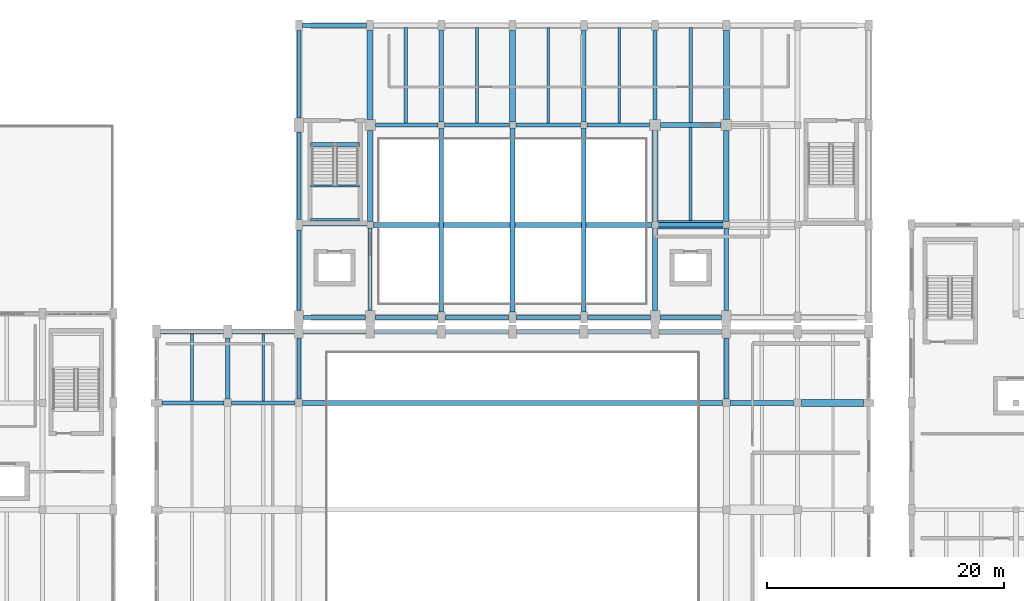
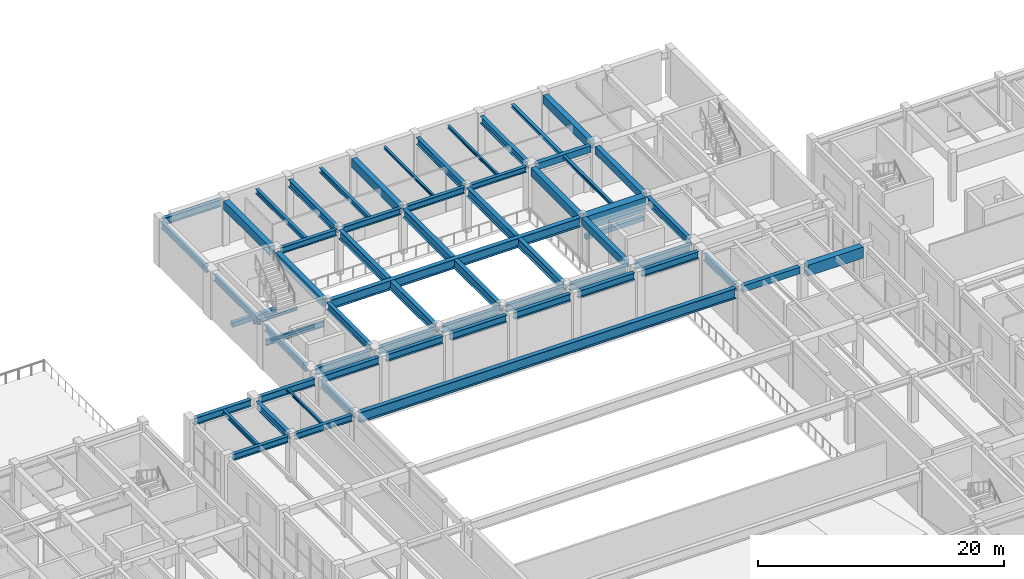
# One storey, part 41 of 80: 61 beams.
"""IFC4 building model written with IfcOpenShell, lengths in metres."""

import ifcopenshell
import ifcopenshell.guid

model = None  # the IFC model being written
_history = None  # IfcOwnerHistory: only IFC2X3 demands one
_inside = {}  # id of a spatial element -> (the spatial element, [elements in it])
_under = {}  # id of a project, library or spatial element -> (it, [spatial elements below it])
_declared = {}  # id of a project -> (the project, [libraries it declares])
_typed = {}  # id of a type object -> (the type object, [elements of that type])
_made_of = {}  # id of a material, layer set ... -> (it, [elements and type objects made of it])


def new_model(schema):
    """Start an empty IFC model of exactly this schema.

    Asked for "IFC4X3", IfcOpenShell would pick the latest addendum, in which some entities
    have other attributes; the version numbers below select the first issue.
    IFC2X3 requires an IfcOwnerHistory on every rooted entity: one is made here for all.
    """
    global model, _history
    if schema == "IFC4X3":
        model = ifcopenshell.file(schema_version=(4, 3, 0, 0))
    else:
        model = ifcopenshell.file(schema=schema)
    _inside.clear()
    _under.clear()
    _declared.clear()
    _typed.clear()
    _made_of.clear()
    _history = None
    if model.schema == "IFC2X3":
        org = make("IfcOrganization", Name="unknown")
        user = make(
            "IfcPersonAndOrganization",
            ThePerson=make("IfcPerson", FamilyName="unknown"),
            TheOrganization=org,
        )
        app = make(
            "IfcApplication",
            ApplicationDeveloper=org,
            Version="unknown",
            ApplicationFullName="unknown",
            ApplicationIdentifier="unknown",
        )
        _history = make(
            "IfcOwnerHistory",
            OwningUser=user,
            OwningApplication=app,
            ChangeAction="ADDED",
            CreationDate=0,
        )
    return model


def make(cls, **values):
    """One entity of the class cls with the attributes given. An attribute that is None is left unset."""
    return model.create_entity(
        cls, **{name: value for name, value in values.items() if value is not None}
    )


def rooted(cls, **values):
    """An entity with a GlobalId (a new one), such as an element, a storey or a relation."""
    return make(cls, GlobalId=ifcopenshell.guid.new(), OwnerHistory=_history, **values)


def si_unit(unit_type, name, prefix=None):
    """IfcSIUnit, for example si_unit("LENGTHUNIT", "METRE", prefix="MILLI")."""
    return make("IfcSIUnit", UnitType=unit_type, Prefix=prefix, Name=name)


def assignment(units):
    """IfcUnitAssignment: the units of a project."""
    return None if units is None else make("IfcUnitAssignment", Units=units)


def point(xyz):
    """IfcCartesianPoint."""
    return None if xyz is None else make("IfcCartesianPoint", Coordinates=xyz)


def direction(xyz):
    """IfcDirection."""
    return None if xyz is None else make("IfcDirection", DirectionRatios=xyz)


def frame(location, z_axis=None, x_axis=None):
    """IfcAxis2Placement3D, a coordinate frame: its origin and axes. An axis left out is left unset."""
    return make(
        "IfcAxis2Placement3D",
        Location=point(location),
        Axis=direction(z_axis),
        RefDirection=direction(x_axis),
    )


def frame_2d(location, x_axis=None):
    """IfcAxis2Placement2D, a coordinate frame in the plane: its origin and x axis."""
    return make(
        "IfcAxis2Placement2D", Location=point(location), RefDirection=direction(x_axis)
    )


def origin():
    """The frame at (0, 0, 0) with its axes left unset."""
    return frame((0.0, 0.0, 0.0))


def origin_2d():
    """The frame at (0, 0) in the plane with its x axis left unset."""
    return frame_2d((0.0, 0.0))


def place(relative_to, where):
    """IfcLocalPlacement: puts the frame where relative to a parent placement (None: the world)."""
    return make(
        "IfcLocalPlacement", PlacementRelTo=relative_to, RelativePlacement=where
    )


def context(
    kind, dimensions, precision=None, world=None, true_north=None, identifier=None
):
    """IfcGeometricRepresentationContext, for example the 3D "Model" context."""
    return make(
        "IfcGeometricRepresentationContext",
        ContextIdentifier=identifier,
        ContextType=kind,
        CoordinateSpaceDimension=dimensions,
        Precision=precision,
        WorldCoordinateSystem=world,
        TrueNorth=true_north,
    )


def subcontext(parent, identifier, kind, view, scale=None):
    """IfcGeometricRepresentationSubContext, for example "Body" below "Model"."""
    return make(
        "IfcGeometricRepresentationSubContext",
        ContextIdentifier=identifier,
        ContextType=kind,
        ParentContext=parent,
        TargetScale=scale,
        TargetView=view,
    )


def project(units=None, contexts=None):
    """IfcProject with its units and contexts."""
    return rooted(
        "IfcProject",
        Name="project",
        RepresentationContexts=contexts,
        UnitsInContext=assignment(units),
    )


def spatial(cls, under=None, at=None, **own):
    """A site, building, storey or space (cls), placed at a placement, below another one or the project."""
    s = rooted(cls, ObjectPlacement=at, **own)
    if under is not None:
        _under.setdefault(under.id(), (under, []))[1].append(s)
    return s


def profile(cls, at=None, kind="AREA", **sizes):
    """A parametric profile (cls). Its sizes go by their IFC names, for example OverallWidth=200.0."""
    return make(cls, ProfileType=kind, Position=at, **sizes)


def rectangle(**sizes):
    """IfcRectangleProfileDef."""
    return profile("IfcRectangleProfileDef", **sizes)


def i_section(**sizes):
    """IfcIShapeProfileDef."""
    return profile("IfcIShapeProfileDef", **sizes)


def extrude(swept, where, along, depth):
    """IfcExtrudedAreaSolid: the profile swept, set in the frame where, extruded along a direction by depth."""
    return make(
        "IfcExtrudedAreaSolid",
        SweptArea=swept,
        Position=where,
        ExtrudedDirection=direction(along),
        Depth=depth,
    )


def shape(context_of_items, identifier, shape_type, items):
    """IfcShapeRepresentation: the items that make up one representation, for example the "Body"."""
    return make(
        "IfcShapeRepresentation",
        ContextOfItems=context_of_items,
        RepresentationIdentifier=identifier,
        RepresentationType=shape_type,
        Items=items,
    )


def material(Name=None, Category=None):
    """IfcMaterial."""
    return make("IfcMaterial", Name=Name, Category=Category)


def material_profile(
    of_material, cross_section, Name=None, Category=None, Priority=None
):
    """IfcMaterialProfile: a cross section and its material."""
    return make(
        "IfcMaterialProfile",
        Name=Name,
        Material=of_material,
        Profile=cross_section,
        Priority=Priority,
        Category=Category,
    )


def profile_set(profiles, Name=None, composite=None):
    """IfcMaterialProfileSet."""
    return make(
        "IfcMaterialProfileSet",
        Name=Name,
        MaterialProfiles=profiles,
        CompositeProfile=composite,
    )


def made_of(thing, what):
    """Note that an element or type object is made of a material, layer set ...; save() writes the relation."""
    if what is not None:
        _made_of.setdefault(what.id(), (what, []))[1].append(thing)
    return thing


def type_object(cls, material=None, **own):
    """A type object (cls), such as IfcWallType, which elements share."""
    return made_of(rooted(cls, **own), material)


def element(
    cls,
    number,
    at=None,
    inside=None,
    cuts=None,
    type_object=None,
    material=None,
    context=None,
    identifier="Body",
    shape_type=None,
    held_by="IfcProductDefinitionShape",
    body=None,
    shapes=None,
    **own,
):
    """One element of the class cls, such as IfcWall. Its Tag is "e" and its number.

    at: its placement. inside: the storey or other place that contains it. cuts: it is an
    opening in that element (IfcRelVoidsElement). A single representation is given by context,
    identifier, shape_type and body (its items); several are given by shapes. held_by: the class
    of the entity that holds the representations. save() writes the other relations.
    """
    e = rooted(cls, Tag="e%d" % number, ObjectPlacement=at, **own)
    if body is not None:
        shapes = [shape(context, identifier, shape_type, body)]
    if shapes is not None:
        e.Representation = make(held_by, Representations=shapes)
    if inside is not None:
        _inside.setdefault(inside.id(), (inside, []))[1].append(e)
    if cuts is not None:
        rooted(
            "IfcRelVoidsElement", RelatingBuildingElement=cuts, RelatedOpeningElement=e
        )
    if type_object is not None:
        _typed.setdefault(type_object.id(), (type_object, []))[1].append(e)
    return made_of(e, material)


def aggregate(whole, parts):
    """IfcRelAggregates: a whole, such as a stair, and the parts it consists of."""
    return rooted("IfcRelAggregates", RelatingObject=whole, RelatedObjects=parts)


def save(model, path):
    """Write the relations noted so far, then the file.

    IfcRelAggregates (storeys below a building ...), IfcRelContainedInSpatialStructure (elements
    in a storey), IfcRelDefinesByType, IfcRelAssociatesMaterial and IfcRelDeclares: one each for
    every whole, place, type object, material and project.
    """
    for whole, parts in _under.values():
        aggregate(whole, parts)
    for where, things in _inside.values():
        rooted(
            "IfcRelContainedInSpatialStructure",
            RelatedElements=things,
            RelatingStructure=where,
        )
    for kind, things in _typed.values():
        rooted("IfcRelDefinesByType", RelatedObjects=things, RelatingType=kind)
    for what, things in _made_of.values():
        rooted("IfcRelAssociatesMaterial", RelatedObjects=things, RelatingMaterial=what)
    for by, libraries in _declared.values():
        rooted("IfcRelDeclares", RelatingContext=by, RelatedDefinitions=libraries)
    model.write(path)


model = new_model("IFC4")

# Units and contexts
model_context = context("Model", 3, precision=1e-05, world=origin(), true_north=direction((0.0, 1.0)))
body_context = subcontext(model_context, "Body", "Model", "MODEL_VIEW")
ifc_project = project(units=[si_unit("LENGTHUNIT", "METRE"), si_unit("AREAUNIT", "SQUARE_METRE"), si_unit("VOLUMEUNIT", "CUBIC_METRE"), si_unit("PLANEANGLEUNIT", "RADIAN"), si_unit("MASSUNIT", "GRAM", prefix="KILO")], contexts=[model_context])

# Site, building, storey
site_placement = place(None, origin())
site = spatial("IfcSite", under=ifc_project, at=site_placement, CompositionType="ELEMENT")
building_placement = place(site_placement, origin())
building = spatial("IfcBuilding", under=site, at=building_placement, Name="Vaelkrest Opera House", CompositionType="ELEMENT")
storey_placement = place(building_placement, frame((0.0, 0.0, 15.0)))
storey = spatial("IfcBuildingStorey", under=building, at=storey_placement, Name="L03", CompositionType="ELEMENT", Elevation=15.0)

# Beams
ifc_material_1 = material(Name="Concrete C50/60", Category="concrete")
ifc_material_profile_1 = material_profile(ifc_material_1, rectangle(XDim=0.39990234375, YDim=0.64990234375, at=origin_2d()), Name="RCB400X650")
ifc_profile_set_1 = profile_set([ifc_material_profile_1], Name="Concrete C50/60")
beam_type_1 = type_object("IfcBeamType", Name="B01", PredefinedType="BEAM", material=ifc_profile_set_1)
beam_1_placement = place(storey_placement, frame((18.324951171875, 10.199951171875, 4.179931640625), z_axis=(1.0, 0.0, 0.0), x_axis=(0.0, 1.0, 0.0)))
element("IfcBeam", 1, at=beam_1_placement, inside=storey, type_object=beam_type_1, Name="Beam BM-V1-L03-0461", PredefinedType="BEAM", context=body_context, shape_type="SweptSolid", body=[
    extrude(rectangle(XDim=0.39990234375, YDim=0.64990234375, at=origin_2d()), origin(), (0.0, 0.0, 1.0), 5.35009765625),
])
beam_2_placement = place(storey_placement, frame((12.449951171875, 33.60009765625, 4.179931640625), z_axis=(1.0, 0.0, 0.0), x_axis=(0.0, 1.0, 0.0)))
element("IfcBeam", 2, at=beam_2_placement, inside=storey, type_object=beam_type_1, Name="Beam BM-V2-L03-1045", PredefinedType="BEAM", context=body_context, shape_type="SweptSolid", body=[
    extrude(rectangle(XDim=0.39990234375, YDim=0.64990234375, at=origin_2d()), origin(), (0.0, 0.0, 1.0), 5.10009765625),
])
ifc_material_profile_2 = material_profile(ifc_material_1, rectangle(XDim=0.449951171875, YDim=0.75, at=origin_2d()), Name="RCB450X750")
ifc_profile_set_2 = profile_set([ifc_material_profile_2], Name="Concrete C50/60")
beam_type_2 = type_object("IfcBeamType", Name="B02", PredefinedType="BEAM", material=ifc_profile_set_2)
beam_3_placement = place(storey_placement, frame((-12.0, 25.47509765625, 4.1298828125), z_axis=(0.0, 1.0, 0.0), x_axis=(-1.0, 0.0, 0.0)))
element("IfcBeam", 3, at=beam_3_placement, inside=storey, type_object=beam_type_2, Name="Beam BM-V2-L03-1059", PredefinedType="BEAM", context=body_context, shape_type="SweptSolid", body=[
    extrude(rectangle(XDim=0.449951171875, YDim=0.75, at=origin_2d()), origin(), (0.0, 0.0, 1.0), 7.6748046875),
])
beam_4_placement = place(storey_placement, frame((12.0, 18.0, 4.1298828125), z_axis=(0.0, 1.0, 0.0), x_axis=(-1.0, 0.0, 0.0)))
element("IfcBeam", 4, at=beam_4_placement, inside=storey, type_object=beam_type_2, Name="Beam BM-V2-L03-1067", PredefinedType="BEAM", context=body_context, shape_type="SweptSolid", body=[
    extrude(rectangle(XDim=0.449951171875, YDim=0.75, at=origin_2d()), origin(), (0.0, 0.0, 1.0), 6.925048828125),
])
beam_5_placement = place(storey_placement, frame((18.0, 25.47509765625, 4.1298828125), z_axis=(0.0, 1.0, 0.0), x_axis=(-1.0, 0.0, 0.0)))
element("IfcBeam", 5, at=beam_5_placement, inside=storey, type_object=beam_type_2, Name="Beam BM-V2-L03-1071", PredefinedType="BEAM", context=body_context, shape_type="SweptSolid", body=[
    extrude(rectangle(XDim=0.449951171875, YDim=0.75, at=origin_2d()), origin(), (0.0, 0.0, 1.0), 7.6748046875),
])
ifc_material_profile_3 = material_profile(ifc_material_1, rectangle(XDim=0.5, YDim=0.85009765625, at=origin_2d()), Name="RCB500X850")
ifc_profile_set_3 = profile_set([ifc_material_profile_3], Name="Concrete C50/60")
beam_type_3 = type_object("IfcBeamType", Name="B03", PredefinedType="BEAM", material=ifc_profile_set_3)
beam_6_placement = place(storey_placement, frame((-12.0, 34.050048828125, 4.080078125), z_axis=(0.0, 1.0, 0.0), x_axis=(-1.0, 0.0, 0.0)))
element("IfcBeam", 6, at=beam_6_placement, inside=storey, type_object=beam_type_3, Name="Beam BM-V2-L03-1060", PredefinedType="BEAM", context=body_context, shape_type="SweptSolid", body=[
    extrude(rectangle(XDim=0.5, YDim=0.85009765625, at=origin_2d()), origin(), (0.0, 0.0, 1.0), 7.5),
])
beam_7_placement = place(storey_placement, frame((0.0, 33.875, 4.080078125), z_axis=(0.0, 1.0, 0.0), x_axis=(-1.0, 0.0, 0.0)))
element("IfcBeam", 7, at=beam_7_placement, inside=storey, type_object=beam_type_3, Name="Beam BM-V2-L03-1064", PredefinedType="BEAM", context=body_context, shape_type="SweptSolid", body=[
    extrude(rectangle(XDim=0.5, YDim=0.85009765625, at=origin_2d()), origin(), (0.0, 0.0, 1.0), 7.675048828125),
])
beam_8_placement = place(storey_placement, frame((12.0, 25.47509765625, 4.080078125), z_axis=(0.0, 1.0, 0.0), x_axis=(-1.0, 0.0, 0.0)))
element("IfcBeam", 8, at=beam_8_placement, inside=storey, type_object=beam_type_3, Name="Beam BM-V2-L03-1068", PredefinedType="BEAM", context=body_context, shape_type="SweptSolid", body=[
    extrude(rectangle(XDim=0.5, YDim=0.85009765625, at=origin_2d()), origin(), (0.0, 0.0, 1.0), 7.6748046875),
])
beam_9_placement = place(storey_placement, frame((18.0, 34.050048828125, 4.080078125), z_axis=(0.0, 1.0, 0.0), x_axis=(-1.0, 0.0, 0.0)))
element("IfcBeam", 9, at=beam_9_placement, inside=storey, type_object=beam_type_3, Name="Beam BM-V2-L03-1072", PredefinedType="BEAM", context=body_context, shape_type="SweptSolid", body=[
    extrude(rectangle(XDim=0.5, YDim=0.85009765625, at=origin_2d()), origin(), (0.0, 0.0, 1.0), 7.5),
])
ifc_material_profile_4 = material_profile(ifc_material_1, rectangle(XDim=0.60009765625, YDim=1.10009765625, at=origin_2d()), Name="RCB600X1100")
ifc_profile_set_4 = profile_set([ifc_material_profile_4], Name="Concrete C50/60")
beam_type_4 = type_object("IfcBeamType", Name="B05", PredefinedType="BEAM", material=ifc_profile_set_4)
beam_10_placement = place(storey_placement, frame((24.324951171875, 10.199951171875, 3.955078125), z_axis=(1.0, 0.0, 0.0), x_axis=(0.0, 1.0, 0.0)))
element("IfcBeam", 10, at=beam_10_placement, inside=storey, type_object=beam_type_4, Name="Beam BM-V1-L03-0462", PredefinedType="BEAM", context=body_context, shape_type="SweptSolid", body=[
    extrude(rectangle(XDim=0.60009765625, YDim=1.10009765625, at=origin_2d()), origin(), (0.0, 0.0, 1.0), 5.22509765625),
])
ifc_material_profile_5 = material_profile(ifc_material_1, rectangle(XDim=0.699951171875, YDim=1.35009765625, at=origin_2d()), Name="RCB700X1350")
ifc_profile_set_5 = profile_set([ifc_material_profile_5], Name="Concrete C50/60")
beam_type_5 = type_object("IfcBeamType", Name="B06", PredefinedType="BEAM", material=ifc_profile_set_5)
beam_11_placement = place(storey_placement, frame((12.27490234375, 25.199951171875, 3.830078125), z_axis=(1.0, 0.0, 0.0), x_axis=(0.0, 1.0, 0.0)))
element("IfcBeam", 11, at=beam_11_placement, inside=storey, type_object=beam_type_5, Name="Beam BM-V2-L03-1039", PredefinedType="BEAM", context=body_context, shape_type="SweptSolid", body=[
    extrude(rectangle(XDim=0.699951171875, YDim=1.35009765625, at=origin_2d()), origin(), (0.0, 0.0, 1.0), 5.4501953125),
])
ifc_material_2 = material(Name="Steel A992 Gr50", Category="steel")
ifc_material_profile_6 = material_profile(ifc_material_2, i_section(OverallWidth=0.323974609375, OverallDepth=0.611083984375, WebThickness=0.0126953125, FlangeThickness=0.01904296875, at=origin_2d()), Name="W24X104")
ifc_profile_set_6 = profile_set([ifc_material_profile_6], Name="Steel A992 Gr50")
beam_type_6 = type_object("IfcBeamType", Name="B08", PredefinedType="BEAM", material=ifc_profile_set_6)
beam_12_placement = place(storey_placement, frame((-11.550048828125, 33.60009765625, 4.199462890625), z_axis=(1.0, 0.0, 0.0), x_axis=(0.0, 1.0, 0.0)))
element("IfcBeam", 12, at=beam_12_placement, inside=storey, type_object=beam_type_6, Name="Beam BM-V2-L03-1041", PredefinedType="BEAM", context=body_context, shape_type="SweptSolid", body=[
    extrude(i_section(OverallWidth=0.323974609375, OverallDepth=0.611083984375, WebThickness=0.0126953125, FlangeThickness=0.01904296875, at=origin_2d()), origin(), (0.0, 0.0, 1.0), 5.275146484375),
])
ifc_material_profile_7 = material_profile(ifc_material_2, i_section(OverallWidth=0.327880859375, OverallDepth=0.6279296875, WebThickness=0.0166015625, FlangeThickness=0.027587890625, at=origin_2d()), Name="W24X146")
ifc_profile_set_7 = profile_set([ifc_material_profile_7], Name="Steel A992 Gr50")
beam_type_7 = type_object("IfcBeamType", Name="B09", PredefinedType="BEAM", material=ifc_profile_set_7)
beam_13_placement = place(storey_placement, frame((-29.550048828125, 10.199951171875, 4.19091796875), z_axis=(1.0, 0.0, 0.0), x_axis=(0.0, 1.0, 0.0)))
element("IfcBeam", 13, at=beam_13_placement, inside=storey, type_object=beam_type_7, Name="Beam BM-V1-L03-0458", PredefinedType="BEAM", context=body_context, shape_type="SweptSolid", body=[
    extrude(i_section(OverallWidth=0.327880859375, OverallDepth=0.6279296875, WebThickness=0.0166015625, FlangeThickness=0.027587890625, at=origin_2d()), origin(), (0.0, 0.0, 1.0), 5.22509765625),
])
beam_14_placement = place(storey_placement, frame((-5.72509765625, 33.60009765625, 4.19091796875), z_axis=(1.0, 0.0, 0.0), x_axis=(0.0, 1.0, 0.0)))
element("IfcBeam", 14, at=beam_14_placement, inside=storey, type_object=beam_type_7, Name="Beam BM-V2-L03-1042", PredefinedType="BEAM", context=body_context, shape_type="SweptSolid", body=[
    extrude(i_section(OverallWidth=0.327880859375, OverallDepth=0.6279296875, WebThickness=0.0166015625, FlangeThickness=0.027587890625, at=origin_2d()), origin(), (0.0, 0.0, 1.0), 5.4501953125),
])
ifc_material_profile_8 = material_profile(ifc_material_2, i_section(OverallWidth=0.35498046875, OverallDepth=0.695068359375, WebThickness=0.015380859375, FlangeThickness=0.02490234375, at=origin_2d()), Name="W27X146")
ifc_profile_set_8 = profile_set([ifc_material_profile_8], Name="Steel A992 Gr50")
beam_type_8 = type_object("IfcBeamType", Name="B10", PredefinedType="BEAM", material=ifc_profile_set_8)
for number, where, z_axis, x_axis, name in (
    (15, (-24.0, 10.52490234375, 4.157470703125), (0.0, 1.0, 0.0), (-1.0, 0.0, 0.0), "Beam BM-V1-L03-0485"),
    (16, (-18.0, 10.52490234375, 4.157470703125), (0.0, 1.0, 0.0), (-1.0, 0.0, 0.0), "Beam BM-V1-L03-0493"),
    (17, (18.0, 10.52490234375, 4.157470703125), (0.0, 1.0, 0.0), (-1.0, 0.0, 0.0), "Beam BM-V1-L03-0501"),
):
    element("IfcBeam", number, at=place(storey_placement, frame(where, z_axis=z_axis, x_axis=x_axis)), inside=storey, type_object=beam_type_8, Name=name, PredefinedType="BEAM", context=body_context, shape_type="SweptSolid", body=[
        extrude(i_section(OverallWidth=0.35498046875, OverallDepth=0.695068359375, WebThickness=0.015380859375, FlangeThickness=0.02490234375, at=origin_2d()), origin(), (0.0, 0.0, 1.0), 5.125),
    ])
beam_15_placement = place(storey_placement, frame((12.0, 34.050048828125, 4.157470703125), z_axis=(0.0, 1.0, 0.0), x_axis=(-1.0, 0.0, 0.0)))
element("IfcBeam", 18, at=beam_15_placement, inside=storey, type_object=beam_type_8, Name="Beam BM-V2-L03-1069", PredefinedType="BEAM", context=body_context, shape_type="SweptSolid", body=[
    extrude(i_section(OverallWidth=0.35498046875, OverallDepth=0.695068359375, WebThickness=0.015380859375, FlangeThickness=0.02490234375, at=origin_2d()), origin(), (0.0, 0.0, 1.0), 7.5),
])
ifc_material_profile_9 = material_profile(ifc_material_2, i_section(OverallWidth=0.39892578125, OverallDepth=0.85498046875, WebThickness=0.018310546875, FlangeThickness=0.029296875, at=origin_2d()), Name="W33X201")
ifc_profile_set_9 = profile_set([ifc_material_profile_9], Name="Steel A992 Gr50")
beam_type_9 = type_object("IfcBeamType", Name="B12", PredefinedType="BEAM", material=ifc_profile_set_9)
for number, where, z_axis, x_axis, name in (
    (19, (-6.0, 17.85009765625, 4.077392578125), (0.0, 1.0, 0.0), (-1.0, 0.0, 0.0), "Beam BM-V2-L03-1061"),
    (20, (0.0, 17.85009765625, 4.077392578125), (0.0, 1.0, 0.0), (-1.0, 0.0, 0.0), "Beam BM-V2-L03-1063"),
    (21, (6.0, 17.85009765625, 4.077392578125), (0.0, 1.0, 0.0), (-1.0, 0.0, 0.0), "Beam BM-V2-L03-1065"),
):
    element("IfcBeam", number, at=place(storey_placement, frame(where, z_axis=z_axis, x_axis=x_axis)), inside=storey, type_object=beam_type_9, Name=name, PredefinedType="BEAM", context=body_context, shape_type="SweptSolid", body=[
        extrude(i_section(OverallWidth=0.39892578125, OverallDepth=0.85498046875, WebThickness=0.018310546875, FlangeThickness=0.029296875, at=origin_2d()), origin(), (0.0, 0.0, 1.0), 15.474853515625),
    ])
ifc_material_profile_10 = material_profile(ifc_material_2, i_section(OverallWidth=0.41796875, OverallDepth=0.927001953125, WebThickness=0.019287109375, FlangeThickness=0.031982421875, at=origin_2d()), Name="W36X231")
ifc_profile_set_10 = profile_set([ifc_material_profile_10], Name="Steel A992 Gr50")
beam_type_10 = type_object("IfcBeamType", Name="B13", PredefinedType="BEAM", material=ifc_profile_set_10)
beam_16_placement = place(storey_placement, frame((-11.72509765625, 25.199951171875, 4.04150390625), z_axis=(1.0, 0.0, 0.0), x_axis=(0.0, 1.0, 0.0)))
element("IfcBeam", 22, at=beam_16_placement, inside=storey, type_object=beam_type_10, Name="Beam BM-V2-L03-1038", PredefinedType="BEAM", context=body_context, shape_type="SweptSolid", body=[
    extrude(i_section(OverallWidth=0.41796875, OverallDepth=0.927001953125, WebThickness=0.019287109375, FlangeThickness=0.031982421875, at=origin_2d()), origin(), (0.0, 0.0, 1.0), 23.4501953125),
])
ifc_material_profile_11 = material_profile(ifc_material_2, i_section(OverallWidth=0.35791015625, OverallDepth=0.7060546875, WebThickness=0.018310546875, FlangeThickness=0.0302734375, at=origin_2d()), Name="W27X178")
ifc_profile_set_11 = profile_set([ifc_material_profile_11], Name="Steel A992 Gr50")
beam_type_11 = type_object("IfcBeamType", Name="B14", PredefinedType="BEAM", material=ifc_profile_set_11)
beam_17_placement = place(storey_placement, frame((-12.0, 18.0, 4.152099609375), z_axis=(0.0, 1.0, 0.0), x_axis=(-1.0, 0.0, 0.0)))
element("IfcBeam", 23, at=beam_17_placement, inside=storey, type_object=beam_type_11, Name="Beam BM-V2-L03-1058", PredefinedType="BEAM", context=body_context, shape_type="SweptSolid", body=[
    extrude(i_section(OverallWidth=0.35791015625, OverallDepth=0.7060546875, WebThickness=0.018310546875, FlangeThickness=0.0302734375, at=origin_2d()), origin(), (0.0, 0.0, 1.0), 6.925048828125),
])
for number, where, z_axis, x_axis, name in (
    (24, (-6.0, 33.875, 4.152099609375), (0.0, 1.0, 0.0), (-1.0, 0.0, 0.0), "Beam BM-V2-L03-1062"),
    (25, (6.0, 33.875, 4.152099609375), (0.0, 1.0, 0.0), (-1.0, 0.0, 0.0), "Beam BM-V2-L03-1066"),
):
    element("IfcBeam", number, at=place(storey_placement, frame(where, z_axis=z_axis, x_axis=x_axis)), inside=storey, type_object=beam_type_11, Name=name, PredefinedType="BEAM", context=body_context, shape_type="SweptSolid", body=[
        extrude(i_section(OverallWidth=0.35791015625, OverallDepth=0.7060546875, WebThickness=0.018310546875, FlangeThickness=0.0302734375, at=origin_2d()), origin(), (0.0, 0.0, 1.0), 7.675048828125),
    ])
beam_18_placement = place(storey_placement, frame((18.0, 18.0, 4.152099609375), z_axis=(0.0, 1.0, 0.0), x_axis=(-1.0, 0.0, 0.0)))
element("IfcBeam", 26, at=beam_18_placement, inside=storey, type_object=beam_type_11, Name="Beam BM-V2-L03-1070", PredefinedType="BEAM", context=body_context, shape_type="SweptSolid", body=[
    extrude(i_section(OverallWidth=0.35791015625, OverallDepth=0.7060546875, WebThickness=0.018310546875, FlangeThickness=0.0302734375, at=origin_2d()), origin(), (0.0, 0.0, 1.0), 6.925048828125),
])
ifc_material_profile_12 = material_profile(ifc_material_2, i_section(OverallWidth=0.39990234375, OverallDepth=1.02197265625, WebThickness=0.01904296875, FlangeThickness=0.0361328125, at=origin_2d()), Name="W40X249")
ifc_profile_set_12 = profile_set([ifc_material_profile_12], Name="Steel A992 Gr50")
beam_type_12 = type_object("IfcBeamType", Name="B15", PredefinedType="BEAM", material=ifc_profile_set_12)
beam_19_placement = place(storey_placement, frame((-17.675048828125, 10.199951171875, 3.993896484375), z_axis=(1.0, 0.0, 0.0), x_axis=(0.0, 1.0, 0.0)))
element("IfcBeam", 27, at=beam_19_placement, inside=storey, type_object=beam_type_12, Name="Beam BM-V1-L03-0460", PredefinedType="BEAM", context=body_context, shape_type="SweptSolid", body=[
    extrude(i_section(OverallWidth=0.39990234375, OverallDepth=1.02197265625, WebThickness=0.01904296875, FlangeThickness=0.0361328125, at=origin_2d()), origin(), (0.0, 0.0, 1.0), 35.35009765625),
])
ifc_material_profile_13 = material_profile(ifc_material_2, i_section(OverallWidth=0.326904296875, OverallDepth=0.6220703125, WebThickness=0.015380859375, FlangeThickness=0.0244140625, at=origin_2d()), Name="W24X131")
ifc_profile_set_13 = profile_set([ifc_material_profile_13], Name="Steel A992 Gr50")
beam_type_13 = type_object("IfcBeamType", Name="B19", PredefinedType="BEAM", material=ifc_profile_set_13)
beam_20_placement = place(storey_placement, frame((-23.675048828125, 10.199951171875, 4.194091796875), z_axis=(1.0, 0.0, 0.0), x_axis=(0.0, 1.0, 0.0)))
element("IfcBeam", 28, at=beam_20_placement, inside=storey, type_object=beam_type_13, Name="Beam BM-V1-L03-0459", PredefinedType="BEAM", context=body_context, shape_type="SweptSolid", body=[
    extrude(i_section(OverallWidth=0.326904296875, OverallDepth=0.6220703125, WebThickness=0.015380859375, FlangeThickness=0.0244140625, at=origin_2d()), origin(), (0.0, 0.0, 1.0), 5.35009765625),
])
beam_21_placement = place(storey_placement, frame((0.27490234375, 33.60009765625, 4.194091796875), z_axis=(1.0, 0.0, 0.0), x_axis=(0.0, 1.0, 0.0)))
element("IfcBeam", 29, at=beam_21_placement, inside=storey, type_object=beam_type_13, Name="Beam BM-V2-L03-1043", PredefinedType="BEAM", context=body_context, shape_type="SweptSolid", body=[
    extrude(i_section(OverallWidth=0.326904296875, OverallDepth=0.6220703125, WebThickness=0.015380859375, FlangeThickness=0.0244140625, at=origin_2d()), origin(), (0.0, 0.0, 1.0), 5.4501953125),
])
ifc_material_profile_14 = material_profile(ifc_material_2, i_section(OverallWidth=0.31494140625, OverallDepth=0.551025390625, WebThickness=0.01513671875, FlangeThickness=0.0244140625, at=origin_2d()), Name="W21X122")
ifc_profile_set_14 = profile_set([ifc_material_profile_14], Name="Steel A992 Gr50")
beam_type_14 = type_object("IfcBeamType", Name="B20", PredefinedType="BEAM", material=ifc_profile_set_14)
beam_22_placement = place(storey_placement, frame((6.27490234375, 33.60009765625, 4.2294921875), z_axis=(1.0, 0.0, 0.0), x_axis=(0.0, 1.0, 0.0)))
element("IfcBeam", 30, at=beam_22_placement, inside=storey, type_object=beam_type_14, Name="Beam BM-V2-L03-1044", PredefinedType="BEAM", context=body_context, shape_type="SweptSolid", body=[
    extrude(i_section(OverallWidth=0.31494140625, OverallDepth=0.551025390625, WebThickness=0.01513671875, FlangeThickness=0.0244140625, at=origin_2d()), origin(), (0.0, 0.0, 1.0), 5.275146484375),
])
ifc_material_profile_15 = material_profile(ifc_material_2, i_section(OverallWidth=0.2041015625, OverallDepth=0.257080078125, WebThickness=0.0087890625, FlangeThickness=0.015625, at=origin_2d()), Name="W10X45")
ifc_profile_set_15 = profile_set([ifc_material_profile_15], Name="Steel A992 Gr50")
beam_type_15 = type_object("IfcBeamType", Name="J01", PredefinedType="JOIST", material=ifc_profile_set_15)
beam_23_placement = place(storey_placement, frame((-21.0, 10.363525390625, 4.37646484375), z_axis=(0.0, 1.0, 0.0), x_axis=(-1.0, 0.0, 0.0)))
element("IfcBeam", 31, at=beam_23_placement, inside=storey, type_object=beam_type_15, Name="Floor joist JST-V1-L03-0521", PredefinedType="JOIST", context=body_context, shape_type="SweptSolid", body=[
    extrude(i_section(OverallWidth=0.2041015625, OverallDepth=0.257080078125, WebThickness=0.0087890625, FlangeThickness=0.015625, at=origin_2d()), origin(), (0.0, 0.0, 1.0), 5.658935546875),
])
beam_24_placement = place(storey_placement, frame((3.0, 33.763427734375, 4.37646484375), z_axis=(0.0, 1.0, 0.0), x_axis=(-1.0, 0.0, 0.0)))
element("IfcBeam", 32, at=beam_24_placement, inside=storey, type_object=beam_type_15, Name="Floor joist JST-V2-L03-1081", PredefinedType="JOIST", context=body_context, shape_type="SweptSolid", body=[
    extrude(i_section(OverallWidth=0.2041015625, OverallDepth=0.257080078125, WebThickness=0.0087890625, FlangeThickness=0.015625, at=origin_2d()), origin(), (0.0, 0.0, 1.0), 8.05908203125),
])
ifc_material_profile_16 = material_profile(ifc_material_2, i_section(OverallWidth=0.202880859375, OverallDepth=0.302978515625, WebThickness=0.007568359375, FlangeThickness=0.01318359375, at=origin_2d()), Name="W12X40")
ifc_profile_set_16 = profile_set([ifc_material_profile_16], Name="Steel A992 Gr50")
beam_type_16 = type_object("IfcBeamType", Name="J02", PredefinedType="JOIST", material=ifc_profile_set_16)
beam_25_placement = place(storey_placement, frame((9.0, 33.757568359375, 4.353515625), z_axis=(0.0, 1.0, 0.0), x_axis=(-1.0, 0.0, 0.0)))
element("IfcBeam", 33, at=beam_25_placement, inside=storey, type_object=beam_type_16, Name="Floor joist JST-V2-L03-1082", PredefinedType="JOIST", context=body_context, shape_type="SweptSolid", body=[
    extrude(i_section(OverallWidth=0.202880859375, OverallDepth=0.302978515625, WebThickness=0.007568359375, FlangeThickness=0.01318359375, at=origin_2d()), origin(), (0.0, 0.0, 1.0), 8.06494140625),
])
for number, where, z_axis, x_axis, name in (
    (34, (-17.02001953125, 25.6201171875, 2.048583984375), (1.0, 0.0, 0.0), (0.0, 1.0, 0.0), "Stair landing bearer beam ST05 L03-1N"),
    (35, (-17.02001953125, 28.469970703125, 2.048583984375), (1.0, 0.0, 0.0), (0.0, 1.0, 0.0), "Stair landing bearer beam ST05 L03-1F"),
):
    element("IfcBeam", number, at=place(storey_placement, frame(where, z_axis=z_axis, x_axis=x_axis)), inside=storey, type_object=beam_type_16, Name=name, PredefinedType="JOIST", context=body_context, shape_type="SweptSolid", body=[
        extrude(i_section(OverallWidth=0.202880859375, OverallDepth=0.302978515625, WebThickness=0.007568359375, FlangeThickness=0.01318359375, at=origin_2d()), origin(), (0.0, 0.0, 1.0), 4.14013671875),
    ])
ifc_material_profile_17 = material_profile(ifc_material_2, i_section(OverallWidth=0.25390625, OverallDepth=0.305908203125, WebThickness=0.0087890625, FlangeThickness=0.0146484375, at=origin_2d()), Name="W12X53")
ifc_profile_set_17 = profile_set([ifc_material_profile_17], Name="Steel A992 Gr50")
beam_type_17 = type_object("IfcBeamType", Name="J03", PredefinedType="JOIST", material=ifc_profile_set_17)
beam_26_placement = place(storey_placement, frame((15.0, 25.550048828125, 4.35205078125), z_axis=(0.0, 1.0, 0.0), x_axis=(-1.0, 0.0, 0.0)))
element("IfcBeam", 36, at=beam_26_placement, inside=storey, type_object=beam_type_17, Name="Floor joist JST-V2-L03-1083", PredefinedType="JOIST", context=body_context, shape_type="SweptSolid", body=[
    extrude(i_section(OverallWidth=0.25390625, OverallDepth=0.305908203125, WebThickness=0.0087890625, FlangeThickness=0.0146484375, at=origin_2d()), origin(), (0.0, 0.0, 1.0), 7.849853515625),
])
ifc_material_profile_18 = material_profile(ifc_material_2, i_section(OverallWidth=0.304931640625, OverallDepth=0.30810546875, WebThickness=0.010009765625, FlangeThickness=0.015380859375, at=origin_2d()), Name="W12X65")
ifc_profile_set_18 = profile_set([ifc_material_profile_18], Name="Steel A992 Gr50")
beam_type_18 = type_object("IfcBeamType", Name="J04", PredefinedType="JOIST", material=ifc_profile_set_18)
beam_27_placement = place(storey_placement, frame((15.0, 33.800048828125, 4.35107421875), z_axis=(0.0, 1.0, 0.0), x_axis=(-1.0, 0.0, 0.0)))
element("IfcBeam", 37, at=beam_27_placement, inside=storey, type_object=beam_type_18, Name="Floor joist JST-V2-L03-1084", PredefinedType="JOIST", context=body_context, shape_type="SweptSolid", body=[
    extrude(i_section(OverallWidth=0.304931640625, OverallDepth=0.30810546875, WebThickness=0.010009765625, FlangeThickness=0.015380859375, at=origin_2d()), origin(), (0.0, 0.0, 1.0), 8.0224609375),
])
ifc_material_profile_19 = material_profile(ifc_material_2, i_section(OverallWidth=0.261962890625, OverallDepth=0.4189453125, WebThickness=0.01171875, FlangeThickness=0.019287109375, at=origin_2d()), Name="W16X77")
ifc_profile_set_19 = profile_set([ifc_material_profile_19], Name="Steel A992 Gr50")
beam_type_19 = type_object("IfcBeamType", Name="J08", PredefinedType="JOIST", material=ifc_profile_set_19)
beam_28_placement = place(storey_placement, frame((-27.0, 10.364013671875, 4.29541015625), z_axis=(0.0, 1.0, 0.0), x_axis=(-1.0, 0.0, 0.0)))
element("IfcBeam", 38, at=beam_28_placement, inside=storey, type_object=beam_type_19, Name="Floor joist JST-V1-L03-0518", PredefinedType="JOIST", context=body_context, shape_type="SweptSolid", body=[
    extrude(i_section(OverallWidth=0.261962890625, OverallDepth=0.4189453125, WebThickness=0.01171875, FlangeThickness=0.019287109375, at=origin_2d()), origin(), (0.0, 0.0, 1.0), 5.658447265625),
])
ifc_material_profile_20 = material_profile(ifc_material_2, i_section(OverallWidth=0.280029296875, OverallDepth=0.462890625, WebThickness=0.0107421875, FlangeThickness=0.017333984375, at=origin_2d()), Name="W18X76")
ifc_profile_set_20 = profile_set([ifc_material_profile_20], Name="Steel A992 Gr50")
beam_type_20 = type_object("IfcBeamType", Name="J09", PredefinedType="JOIST", material=ifc_profile_set_20)
beam_29_placement = place(storey_placement, frame((-9.0, 33.761962890625, 4.2734375), z_axis=(0.0, 1.0, 0.0), x_axis=(-1.0, 0.0, 0.0)))
element("IfcBeam", 39, at=beam_29_placement, inside=storey, type_object=beam_type_20, Name="Floor joist JST-V2-L03-1079", PredefinedType="JOIST", context=body_context, shape_type="SweptSolid", body=[
    extrude(i_section(OverallWidth=0.280029296875, OverallDepth=0.462890625, WebThickness=0.0107421875, FlangeThickness=0.017333984375, at=origin_2d()), origin(), (0.0, 0.0, 1.0), 8.060546875),
])
ifc_material_profile_21 = material_profile(ifc_material_2, i_section(OverallWidth=0.282958984375, OverallDepth=0.471923828125, WebThickness=0.013671875, FlangeThickness=0.022216796875, at=origin_2d()), Name="W18X97")
ifc_profile_set_21 = profile_set([ifc_material_profile_21], Name="Steel A992 Gr50")
beam_type_21 = type_object("IfcBeamType", Name="J10", PredefinedType="JOIST", material=ifc_profile_set_21)
beam_30_placement = place(storey_placement, frame((-3.0, 33.763916015625, 4.26904296875), z_axis=(0.0, 1.0, 0.0), x_axis=(-1.0, 0.0, 0.0)))
element("IfcBeam", 40, at=beam_30_placement, inside=storey, type_object=beam_type_21, Name="Floor joist JST-V2-L03-1080", PredefinedType="JOIST", context=body_context, shape_type="SweptSolid", body=[
    extrude(i_section(OverallWidth=0.282958984375, OverallDepth=0.471923828125, WebThickness=0.013671875, FlangeThickness=0.022216796875, at=origin_2d()), origin(), (0.0, 0.0, 1.0), 8.05859375),
])
ifc_material_profile_22 = material_profile(ifc_material_1, rectangle(XDim=0.35009765625, YDim=0.449951171875, at=origin_2d()), Name="RCB350X450")
ifc_profile_set_22 = profile_set([ifc_material_profile_22], Name="Concrete C50/60")
beam_type_22 = type_object("IfcBeamType", Name="LN01", PredefinedType="LINTEL", material=ifc_profile_set_22)
beam_31_placement = place(storey_placement, frame((12.25, 25.199951171875, 2.300048828125), z_axis=(1.0, 0.0, 0.0), x_axis=(0.0, 1.0, 0.0)))
element("IfcBeam", 41, at=beam_31_placement, inside=storey, type_object=beam_type_22, Name="Portal lintel L03-1", PredefinedType="LINTEL", context=body_context, shape_type="SweptSolid", body=[
    extrude(rectangle(XDim=0.35009765625, YDim=0.449951171875, at=origin_2d()), origin(), (0.0, 0.0, 1.0), 5.5),
])
beam_32_placement = place(storey_placement, frame((-17.02001953125, 31.949951171875, -0.22509765625), z_axis=(1.0, 0.0, 0.0), x_axis=(0.0, 1.0, 0.0)))
element("IfcBeam", 42, at=beam_32_placement, inside=storey, type_object=beam_type_22, Name="Stairwell trimmer beam ST05 L03", PredefinedType="LINTEL", context=body_context, shape_type="SweptSolid", body=[
    extrude(rectangle(XDim=0.35009765625, YDim=0.449951171875, at=origin_2d()), origin(), (0.0, 0.0, 1.0), 4.14013671875),
])
ifc_material_profile_23 = material_profile(ifc_material_2, i_section(OverallWidth=0.214111328125, OverallDepth=0.549072265625, WebThickness=0.0146484375, FlangeThickness=0.023681640625, at=origin_2d()), Name="W21X93")
ifc_profile_set_23 = profile_set([ifc_material_profile_23], Name="Steel A992 Gr50")
beam_type_23 = type_object("IfcBeamType", Name="LN03", PredefinedType="LINTEL", material=ifc_profile_set_23)
beam_33_placement = place(storey_placement, frame((-17.75, 25.199951171875, 2.300048828125), z_axis=(1.0, 0.0, 0.0), x_axis=(0.0, 1.0, 0.0)))
element("IfcBeam", 43, at=beam_33_placement, inside=storey, type_object=beam_type_23, Name="Portal lintel L03-3", PredefinedType="LINTEL", context=body_context, shape_type="SweptSolid", body=[
    extrude(i_section(OverallWidth=0.214111328125, OverallDepth=0.549072265625, WebThickness=0.0146484375, FlangeThickness=0.023681640625, at=origin_2d()), origin(), (0.0, 0.0, 1.0), 5.5),
])
ifc_material_profile_24 = material_profile(ifc_material_2, i_section(OverallWidth=0.323974609375, OverallDepth=0.611083984375, WebThickness=0.0126953125, FlangeThickness=0.01904296875, at=origin_2d()), Name="W24X104")
ifc_profile_set_24 = profile_set([ifc_material_profile_24], Name="Steel A992 Gr50")
beam_type_24 = type_object("IfcBeamType", Name="SP01", PredefinedType="SPANDREL", material=ifc_profile_set_24)
beam_34_placement = place(storey_placement, frame((-18.0, 18.0, 4.199462890625), z_axis=(0.0, 1.0, 0.0), x_axis=(-1.0, 0.0, 0.0)))
element("IfcBeam", 44, at=beam_34_placement, inside=storey, type_object=beam_type_24, Name="Beam BM-V2-L03-1055", PredefinedType="SPANDREL", context=body_context, shape_type="SweptSolid", body=[
    extrude(i_section(OverallWidth=0.323974609375, OverallDepth=0.611083984375, WebThickness=0.0126953125, FlangeThickness=0.01904296875, at=origin_2d()), origin(), (0.0, 0.0, 1.0), 6.75),
])
for number, where, z_axis, x_axis, name in (
    (45, (-18.0, 25.64990234375, 4.199462890625), (0.0, 1.0, 0.0), (-1.0, 0.0, 0.0), "Beam BM-V2-L03-1056"),
    (46, (-18.0, 34.199951171875, 4.199462890625), (0.0, 1.0, 0.0), (-1.0, 0.0, 0.0), "Beam BM-V2-L03-1057"),
):
    element("IfcBeam", number, at=place(storey_placement, frame(where, z_axis=z_axis, x_axis=x_axis)), inside=storey, type_object=beam_type_24, Name=name, PredefinedType="SPANDREL", context=body_context, shape_type="SweptSolid", body=[
        extrude(i_section(OverallWidth=0.323974609375, OverallDepth=0.611083984375, WebThickness=0.0126953125, FlangeThickness=0.01904296875, at=origin_2d()), origin(), (0.0, 0.0, 1.0), 7.35009765625),
    ])
ifc_material_profile_25 = material_profile(ifc_material_2, i_section(OverallWidth=0.35498046875, OverallDepth=0.695068359375, WebThickness=0.015380859375, FlangeThickness=0.02490234375, at=origin_2d()), Name="W27X146")
ifc_profile_set_25 = profile_set([ifc_material_profile_25], Name="Steel A992 Gr50")
beam_type_25 = type_object("IfcBeamType", Name="SP02", PredefinedType="SPANDREL", material=ifc_profile_set_25)
for number, where, z_axis, x_axis, name in (
    (47, (-29.64990234375, 16.199951171875, 4.157470703125), (1.0, 0.0, 0.0), (0.0, 1.0, 0.0), "Beam BM-V1-L03-0463"),
    (48, (-23.64990234375, 16.199951171875, 4.157470703125), (1.0, 0.0, 0.0), (0.0, 1.0, 0.0), "Beam BM-V1-L03-0464"),
    (49, (-17.64990234375, 16.199951171875, 4.157470703125), (1.0, 0.0, 0.0), (0.0, 1.0, 0.0), "Beam BM-V1-L03-0465"),
    (50, (-11.64990234375, 16.199951171875, 4.157470703125), (1.0, 0.0, 0.0), (0.0, 1.0, 0.0), "Beam BM-V1-L03-0466"),
    (51, (-5.64990234375, 16.199951171875, 4.157470703125), (1.0, 0.0, 0.0), (0.0, 1.0, 0.0), "Beam BM-V1-L03-0467"),
    (52, (0.35009765625, 16.199951171875, 4.157470703125), (1.0, 0.0, 0.0), (0.0, 1.0, 0.0), "Beam BM-V1-L03-0468"),
    (53, (6.35009765625, 16.199951171875, 4.157470703125), (1.0, 0.0, 0.0), (0.0, 1.0, 0.0), "Beam BM-V1-L03-0469"),
    (54, (12.35009765625, 16.199951171875, 4.157470703125), (1.0, 0.0, 0.0), (0.0, 1.0, 0.0), "Beam BM-V1-L03-0470"),
):
    element("IfcBeam", number, at=place(storey_placement, frame(where, z_axis=z_axis, x_axis=x_axis)), inside=storey, type_object=beam_type_25, Name=name, PredefinedType="SPANDREL", context=body_context, shape_type="SweptSolid", body=[
        extrude(i_section(OverallWidth=0.35498046875, OverallDepth=0.695068359375, WebThickness=0.015380859375, FlangeThickness=0.02490234375, at=origin_2d()), origin(), (0.0, 0.0, 1.0), 5.2998046875),
    ])
beam_35_placement = place(storey_placement, frame((-17.60009765625, 17.39990234375, 4.157470703125), z_axis=(1.0, 0.0, 0.0), x_axis=(0.0, 1.0, 0.0)))
element("IfcBeam", 55, at=beam_35_placement, inside=storey, type_object=beam_type_25, Name="Beam BM-V2-L03-1030", PredefinedType="SPANDREL", context=body_context, shape_type="SweptSolid", body=[
    extrude(i_section(OverallWidth=0.35498046875, OverallDepth=0.695068359375, WebThickness=0.015380859375, FlangeThickness=0.02490234375, at=origin_2d()), origin(), (0.0, 0.0, 1.0), 5.2001953125),
])
beam_36_placement = place(storey_placement, frame((-11.60009765625, 17.39990234375, 4.157470703125), z_axis=(1.0, 0.0, 0.0), x_axis=(0.0, 1.0, 0.0)))
element("IfcBeam", 56, at=beam_36_placement, inside=storey, type_object=beam_type_25, Name="Beam BM-V2-L03-1031", PredefinedType="SPANDREL", context=body_context, shape_type="SweptSolid", body=[
    extrude(i_section(OverallWidth=0.35498046875, OverallDepth=0.695068359375, WebThickness=0.015380859375, FlangeThickness=0.02490234375, at=origin_2d()), origin(), (0.0, 0.0, 1.0), 5.300048828125),
])
for number, where, z_axis, x_axis, name in (
    (57, (-5.699951171875, 17.39990234375, 4.157470703125), (1.0, 0.0, 0.0), (0.0, 1.0, 0.0), "Beam BM-V2-L03-1032"),
    (58, (0.300048828125, 17.39990234375, 4.157470703125), (1.0, 0.0, 0.0), (0.0, 1.0, 0.0), "Beam BM-V2-L03-1033"),
):
    element("IfcBeam", number, at=place(storey_placement, frame(where, z_axis=z_axis, x_axis=x_axis)), inside=storey, type_object=beam_type_25, Name=name, PredefinedType="SPANDREL", context=body_context, shape_type="SweptSolid", body=[
        extrude(i_section(OverallWidth=0.35498046875, OverallDepth=0.695068359375, WebThickness=0.015380859375, FlangeThickness=0.02490234375, at=origin_2d()), origin(), (0.0, 0.0, 1.0), 5.39990234375),
    ])
beam_37_placement = place(storey_placement, frame((6.300048828125, 17.39990234375, 4.157470703125), z_axis=(1.0, 0.0, 0.0), x_axis=(0.0, 1.0, 0.0)))
element("IfcBeam", 59, at=beam_37_placement, inside=storey, type_object=beam_type_25, Name="Beam BM-V2-L03-1034", PredefinedType="SPANDREL", context=body_context, shape_type="SweptSolid", body=[
    extrude(i_section(OverallWidth=0.35498046875, OverallDepth=0.695068359375, WebThickness=0.015380859375, FlangeThickness=0.02490234375, at=origin_2d()), origin(), (0.0, 0.0, 1.0), 5.300048828125),
])
beam_38_placement = place(storey_placement, frame((12.39990234375, 17.39990234375, 4.157470703125), z_axis=(1.0, 0.0, 0.0), x_axis=(0.0, 1.0, 0.0)))
element("IfcBeam", 60, at=beam_38_placement, inside=storey, type_object=beam_type_25, Name="Beam BM-V2-L03-1035", PredefinedType="SPANDREL", context=body_context, shape_type="SweptSolid", body=[
    extrude(i_section(OverallWidth=0.35498046875, OverallDepth=0.695068359375, WebThickness=0.015380859375, FlangeThickness=0.02490234375, at=origin_2d()), origin(), (0.0, 0.0, 1.0), 5.2001953125),
])
beam_39_placement = place(storey_placement, frame((-17.699951171875, 42.0, 4.157470703125), z_axis=(1.0, 0.0, 0.0), x_axis=(0.0, 1.0, 0.0)))
element("IfcBeam", 61, at=beam_39_placement, inside=storey, type_object=beam_type_25, Name="Beam BM-V2-L03-1047", PredefinedType="SPANDREL", context=body_context, shape_type="SweptSolid", body=[
    extrude(i_section(OverallWidth=0.35498046875, OverallDepth=0.695068359375, WebThickness=0.015380859375, FlangeThickness=0.02490234375, at=origin_2d()), origin(), (0.0, 0.0, 1.0), 5.39990234375),
])

save(model, "model.ifc")
